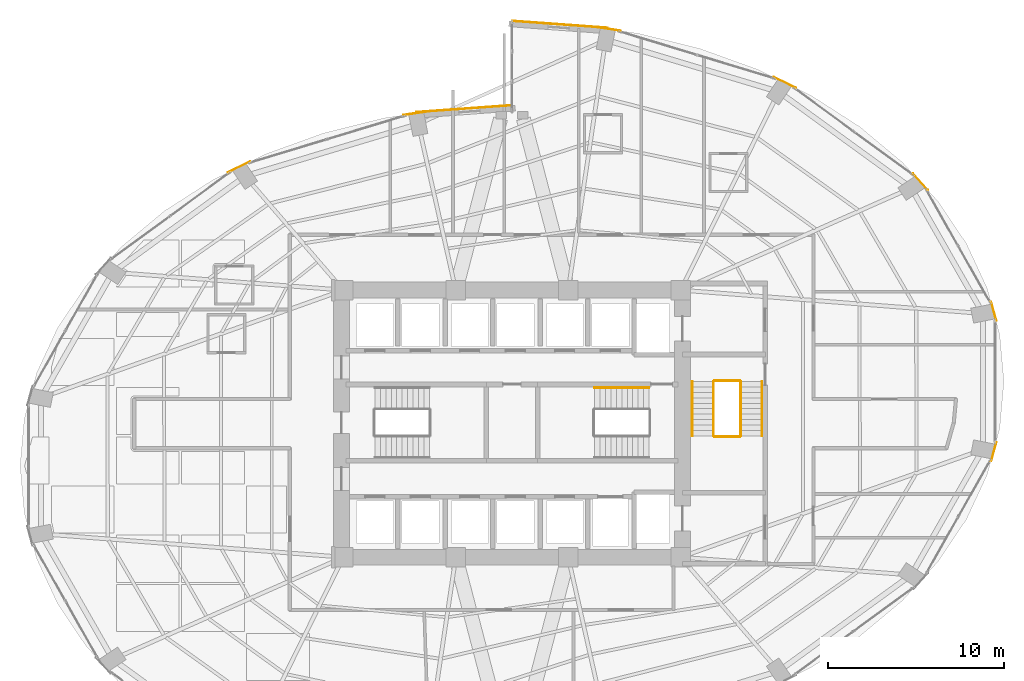
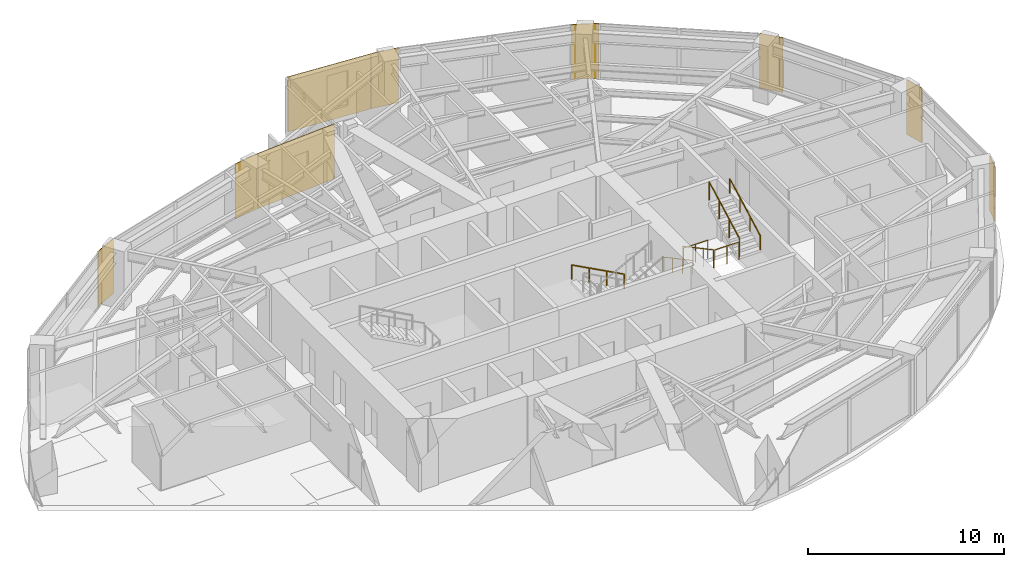
# One storey, part 25 of 25: 9 coverings, 7 railings.
"""IFC4 building model written with IfcOpenShell, lengths in metres."""

from ifc_helpers import new_model, si_unit, direction, frame, origin, origin_2d, place, context, subcontext, project, spatial, rectangle, circle, extrude, material, layer, layer_set, type_object, element, save


model = new_model("IFC4")

# Units and contexts
model_context = context("Model", 3, precision=1e-05, world=origin(), true_north=direction((0.0, 1.0)))
body_context = subcontext(model_context, "Body", "Model", "MODEL_VIEW")
ifc_project = project(units=[si_unit("LENGTHUNIT", "METRE"), si_unit("AREAUNIT", "SQUARE_METRE"), si_unit("VOLUMEUNIT", "CUBIC_METRE"), si_unit("PLANEANGLEUNIT", "RADIAN"), si_unit("MASSUNIT", "GRAM", prefix="KILO")], contexts=[model_context])

# Site, building, storey
site_placement = place(None, origin())
site = spatial("IfcSite", under=ifc_project, at=site_placement, CompositionType="ELEMENT")
building_placement = place(site_placement, origin())
building = spatial("IfcBuilding", under=site, at=building_placement, Name="Lazwardi Medical Tower", CompositionType="ELEMENT")
storey_placement = place(building_placement, frame((0.0, 0.0, 47.087890625)))
storey = spatial("IfcBuildingStorey", under=building, at=storey_placement, Name="L11", CompositionType="ELEMENT", Elevation=47.087890625)

# Coverings
ifc_material_1 = material(Name="Anodised bronze aluminium cassette cladding", Category="aluminium")
ifc_layer_1 = layer(ifc_material_1, 0.030029296875)
ifc_layer_set_1 = layer_set([ifc_layer_1], Name="Anodised bronze aluminium cassette cladding")
covering_type_1 = type_object("IfcCoveringType", Name="COV-CLD-BRZ", PredefinedType="CLADDING", material=ifc_layer_set_1)
for number, where, z_axis, x_axis, name in (
    (1, (63.420654296875, 26.408203125, 0.0), (0.0, 0.0, 1.0), (0.262283496593, 0.964990863902, 0.0), "L11 Mega-column bronze cassette cover M04"),
    (2, (63.420654296875, 34.3916015625, 0.0), (0.0, 0.0, 1.0), (-0.262283496593, 0.964990863902, 0.0), "L11 Mega-column bronze cassette cover M05"),
):
    element("IfcCovering", number, at=place(storey_placement, frame(where, z_axis=z_axis, x_axis=x_axis)), inside=storey, type_object=covering_type_1, Name=name, PredefinedType="CLADDING", context=body_context, shape_type="SweptSolid", body=[
        extrude(rectangle(XDim=1.12548828125, YDim=0.030029296875, at=origin_2d()), origin(), (0.0, 0.0, 1.0), 3.427978515625),
    ])
covering_1_placement = place(storey_placement, frame((59.24609375, 41.767333984375, 0.0), z_axis=(0.0, 0.0, 1.0), x_axis=(-0.674252120961, 0.738501237223, 0.0)))
element("IfcCovering", 3, at=covering_1_placement, inside=storey, type_object=covering_type_1, Name="L11 Mega-column bronze cassette cover M06", PredefinedType="CLADDING", context=body_context, shape_type="SweptSolid", body=[
    extrude(rectangle(XDim=1.24658203125, YDim=0.030029296875, at=origin_2d()), origin(), (0.0, 0.0, 1.0), 3.427978515625),
])
covering_2_placement = place(storey_placement, frame((51.532470703125, 47.412353515625, 0.0), z_axis=(0.0, 0.0, 1.0), x_axis=(-0.898334492373, 0.439312121178, 0.0)))
element("IfcCovering", 4, at=covering_2_placement, inside=storey, type_object=covering_type_1, Name="L11 Mega-column bronze cassette cover M07", PredefinedType="CLADDING", context=body_context, shape_type="SweptSolid", body=[
    extrude(rectangle(XDim=1.400390625, YDim=0.030029296875, at=origin_2d()), origin(), (0.0, 0.0, 1.0), 3.427978515625),
])
for number, where, z_axis, x_axis, name in (
    (5, (41.454345703125, 50.46728515625, 0.0), (0.0, 0.0, 1.0), (-0.98957259946, 0.144034962415, 0.0), "L11 Mega-column bronze cassette cover M08"),
    (6, (30.545654296875, 45.66748046875, 0.0), (0.0, 0.0, 1.0), (-0.98957259946, -0.144034962415, 0.0), "L11 Mega-column bronze cassette cover M09"),
):
    element("IfcCovering", number, at=place(storey_placement, frame(where, z_axis=z_axis, x_axis=x_axis)), inside=storey, type_object=covering_type_1, Name=name, PredefinedType="CLADDING", context=body_context, shape_type="SweptSolid", body=[
        extrude(rectangle(XDim=1.49951171875, YDim=0.030029296875, at=origin_2d()), origin(), (0.0, 0.0, 1.0), 3.427978515625),
    ])
covering_3_placement = place(storey_placement, frame((20.467529296875, 42.6123046875, 0.0), z_axis=(0.0, 0.0, 1.0), x_axis=(-0.898334492373, -0.439312121178, 0.0)))
element("IfcCovering", 7, at=covering_3_placement, inside=storey, type_object=covering_type_1, Name="L11 Mega-column bronze cassette cover M10", PredefinedType="CLADDING", context=body_context, shape_type="SweptSolid", body=[
    extrude(rectangle(XDim=1.400390625, YDim=0.030029296875, at=origin_2d()), origin(), (0.0, 0.0, 1.0), 3.427978515625),
])
ifc_material_2 = material(Name="Turquoise glazed ceramic tilework cladding", Category="masonry")
ifc_layer_2 = layer(ifc_material_2, 0.034912109375)
ifc_layer_set_2 = layer_set([ifc_layer_2], Name="Turquoise glazed ceramic tilework cladding")
covering_type_2 = type_object("IfcCoveringType", Name="COV-CLD-TRQ", PredefinedType="CLADDING", material=ifc_layer_set_2)
covering_4_placement = place(storey_placement, frame((38.728271484375, 50.719482421875, 0.0), z_axis=(0.0, 0.0, 1.0), x_axis=(-0.997421404513, 0.071767275412, 0.0)))
element("IfcCovering", 8, at=covering_4_placement, inside=storey, type_object=covering_type_2, Name="L11 Turquoise glazed ceramic tilework cladding", PredefinedType="CLADDING", context=body_context, shape_type="SweptSolid", body=[
    extrude(rectangle(XDim=5.4453125, YDim=0.034912109375, at=origin_2d()), origin(), (0.0, 0.0, 1.0), 3.427978515625),
])
covering_5_placement = place(storey_placement, frame((33.271484375, 45.919677734375, 0.0), z_axis=(0.0, 0.0, 1.0), x_axis=(-0.997420903458, -0.071774238726, 0.0)))
element("IfcCovering", 9, at=covering_5_placement, inside=storey, type_object=covering_type_2, Name="L11 Turquoise glazed ceramic tilework cladding", PredefinedType="CLADDING", context=body_context, shape_type="SweptSolid", body=[
    extrude(rectangle(XDim=5.44482421875, YDim=0.034912109375, at=origin_2d()), origin(), (0.0, 0.0, 1.0), 3.427978515625),
])

# Railings
ifc_material_3 = material(Name="Stainless steel Grade 316", Category="steel")
railing_type_1 = type_object("IfcRailingType", Name="RLG-GRD-1150", PredefinedType="GUARDRAIL", material=ifc_material_3)
railing_1_placement = place(storey_placement, frame((47.469970703125, 30.39990234375, 0.166015625)))
element("IfcRailing", 10, at=railing_1_placement, inside=storey, type_object=railing_type_1, Name="L11 ST3 stair guard 1", PredefinedType="GUARDRAIL", context=body_context, shape_type="SweptSolid", body=[
    extrude(circle(Radius=0.02392578125, at=origin_2d()), frame((0.0, 0.0, 1.1259765625), z_axis=(0.0, -0.881767849116, 0.471683644262), x_axis=(1.0, 0.0, 0.0)), (0.0, 0.0, 1.0), 3.515380859375),
    extrude(circle(Radius=0.02099609375, at=origin_2d()), origin(), (0.0, 0.0, 1.0), 1.099853515625),
    extrude(circle(Radius=0.02099609375, at=origin_2d()), frame((0.0, -1.033203125, 0.552734375)), (0.0, 0.0, 1.0), 1.099853515625),
    extrude(circle(Radius=0.02099609375, at=origin_2d()), frame((0.0, -2.066650390625, 1.10546875)), (0.0, 0.0, 1.0), 1.099853515625),
    extrude(circle(Radius=0.02099609375, at=origin_2d()), frame((0.0, -3.099853515625, 1.658203125)), (0.0, 0.0, 1.0), 1.099853515625),
])
railing_2_placement = place(storey_placement, frame((47.52001953125, 27.25, 1.82421875)))
element("IfcRailing", 11, at=railing_2_placement, inside=storey, type_object=railing_type_1, Name="L11 ST3 stair guard 2", PredefinedType="GUARDRAIL", context=body_context, shape_type="SweptSolid", body=[
    extrude(circle(Radius=0.02392578125, at=origin_2d()), frame((0.0, 0.0, 1.1259765625), z_axis=(1.0, 0.0, 0.0), x_axis=(0.0, 1.0, 0.0)), (0.0, 0.0, 1.0), 1.43994140625),
    extrude(circle(Radius=0.02099609375, at=origin_2d()), origin(), (0.0, 0.0, 1.0), 1.099853515625),
    extrude(circle(Radius=0.02099609375, at=origin_2d()), frame((0.719970703125, 0.0, 0.0)), (0.0, 0.0, 1.0), 1.099853515625),
    extrude(circle(Radius=0.02099609375, at=origin_2d()), frame((1.43994140625, 0.0, 0.0)), (0.0, 0.0, 1.0), 1.099853515625),
])
railing_3_placement = place(storey_placement, frame((49.010009765625, 27.300048828125, 1.989990234375)))
element("IfcRailing", 12, at=railing_3_placement, inside=storey, type_object=railing_type_1, Name="L11 ST3 stair guard 3", PredefinedType="GUARDRAIL", context=body_context, shape_type="SweptSolid", body=[
    extrude(circle(Radius=0.02392578125, at=origin_2d()), frame((0.0, 0.0, 1.1259765625), z_axis=(0.0, 0.881767849116, 0.471683644262), x_axis=(-1.0, 0.0, 0.0)), (0.0, 0.0, 1.0), 3.515380859375),
    extrude(circle(Radius=0.02099609375, at=origin_2d()), origin(), (0.0, 0.0, 1.0), 1.099853515625),
    extrude(circle(Radius=0.02099609375, at=origin_2d()), frame((0.0, 1.033203125, 0.552734375)), (0.0, 0.0, 1.0), 1.099853515625),
    extrude(circle(Radius=0.02099609375, at=origin_2d()), frame((0.0, 2.066650390625, 1.10546875)), (0.0, 0.0, 1.0), 1.099853515625),
    extrude(circle(Radius=0.02099609375, at=origin_2d()), frame((0.0, 3.099853515625, 1.658203125)), (0.0, 0.0, 1.0), 1.099853515625),
])
railing_4_placement = place(storey_placement, frame((47.52001953125, 30.449951171875, 0.0)))
element("IfcRailing", 13, at=railing_4_placement, inside=storey, type_object=railing_type_1, Name="L11 ST3 stair guard 4", PredefinedType="GUARDRAIL", context=body_context, shape_type="SweptSolid", body=[
    extrude(circle(Radius=0.02392578125, at=origin_2d()), frame((0.0, 0.0, 1.1259765625), z_axis=(1.0, 0.0, 0.0), x_axis=(0.0, 1.0, 0.0)), (0.0, 0.0, 1.0), 1.43994140625),
    extrude(circle(Radius=0.02099609375, at=origin_2d()), origin(), (0.0, 0.0, 1.0), 1.099853515625),
    extrude(circle(Radius=0.02099609375, at=origin_2d()), frame((0.719970703125, 0.0, 0.0)), (0.0, 0.0, 1.0), 1.099853515625),
    extrude(circle(Radius=0.02099609375, at=origin_2d()), frame((1.43994140625, 0.0, 0.0)), (0.0, 0.0, 1.0), 1.099853515625),
])
railing_type_2 = type_object("IfcRailingType", Name="RLG-HND-920", PredefinedType="HANDRAIL", material=ifc_material_3)
railing_5_placement = place(storey_placement, frame((43.800048828125, 30.050048828125, 0.166015625)))
element("IfcRailing", 14, at=railing_5_placement, inside=storey, type_object=railing_type_2, Name="L11 ST2 stair handrail 1", PredefinedType="HANDRAIL", context=body_context, shape_type="SweptSolid", body=[
    extrude(circle(Radius=0.02392578125, at=origin_2d()), frame((0.0, 0.0, 0.8857421875), z_axis=(-0.881783298633, 0.0, 0.471654761719), x_axis=(0.0, -1.0, 0.0)), (0.0, 0.0, 1.0), 3.515625),
    extrude(circle(Radius=0.02099609375, at=origin_2d()), origin(), (0.0, 0.0, 1.0), 0.85986328125),
    extrude(circle(Radius=0.02099609375, at=origin_2d()), frame((-1.033447265625, 0.0, 0.552734375)), (0.0, 0.0, 1.0), 0.85986328125),
    extrude(circle(Radius=0.02099609375, at=origin_2d()), frame((-2.066650390625, 0.0, 1.10546875)), (0.0, 0.0, 1.0), 0.85986328125),
    extrude(circle(Radius=0.02099609375, at=origin_2d()), frame((-3.10009765625, 0.0, 1.658203125)), (0.0, 0.0, 1.0), 0.85986328125),
])
railing_6_placement = place(storey_placement, frame((46.25, 30.39990234375, 0.166015625)))
element("IfcRailing", 15, at=railing_6_placement, inside=storey, type_object=railing_type_2, Name="L11 ST3 stair handrail 1", PredefinedType="HANDRAIL", context=body_context, shape_type="SweptSolid", body=[
    extrude(circle(Radius=0.02392578125, at=origin_2d()), frame((0.0, 0.0, 0.8857421875), z_axis=(0.0, -0.881767849116, 0.471683644262), x_axis=(1.0, 0.0, 0.0)), (0.0, 0.0, 1.0), 3.515380859375),
    extrude(circle(Radius=0.02099609375, at=origin_2d()), origin(), (0.0, 0.0, 1.0), 0.85986328125),
    extrude(circle(Radius=0.02099609375, at=origin_2d()), frame((0.0, -1.033203125, 0.552734375)), (0.0, 0.0, 1.0), 0.85986328125),
    extrude(circle(Radius=0.02099609375, at=origin_2d()), frame((0.0, -2.066650390625, 1.10546875)), (0.0, 0.0, 1.0), 0.85986328125),
    extrude(circle(Radius=0.02099609375, at=origin_2d()), frame((0.0, -3.099853515625, 1.658203125)), (0.0, 0.0, 1.0), 0.85986328125),
])
railing_7_placement = place(storey_placement, frame((50.22998046875, 27.300048828125, 1.989990234375)))
element("IfcRailing", 16, at=railing_7_placement, inside=storey, type_object=railing_type_2, Name="L11 ST3 stair handrail 2", PredefinedType="HANDRAIL", context=body_context, shape_type="SweptSolid", body=[
    extrude(circle(Radius=0.02392578125, at=origin_2d()), frame((0.0, 0.0, 0.8857421875), z_axis=(0.0, 0.881767849116, 0.471683644262), x_axis=(-1.0, 0.0, 0.0)), (0.0, 0.0, 1.0), 3.515380859375),
    extrude(circle(Radius=0.02099609375, at=origin_2d()), origin(), (0.0, 0.0, 1.0), 0.85986328125),
    extrude(circle(Radius=0.02099609375, at=origin_2d()), frame((0.0, 1.033203125, 0.552734375)), (0.0, 0.0, 1.0), 0.85986328125),
    extrude(circle(Radius=0.02099609375, at=origin_2d()), frame((0.0, 2.066650390625, 1.10546875)), (0.0, 0.0, 1.0), 0.85986328125),
    extrude(circle(Radius=0.02099609375, at=origin_2d()), frame((0.0, 3.099853515625, 1.658203125)), (0.0, 0.0, 1.0), 0.85986328125),
])

save(model, "model.ifc")
